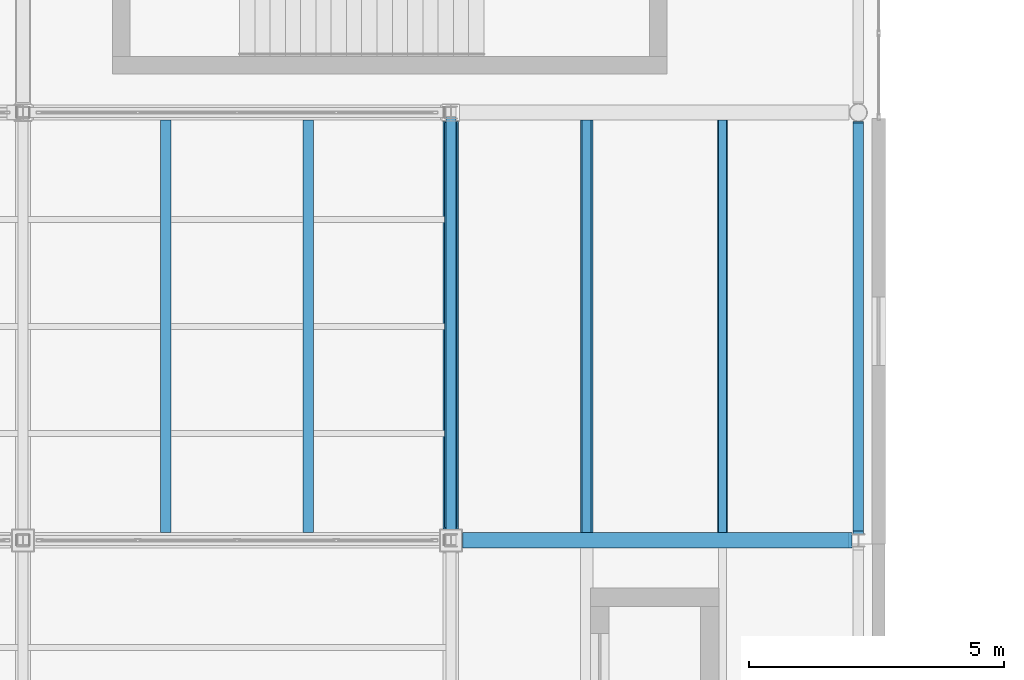
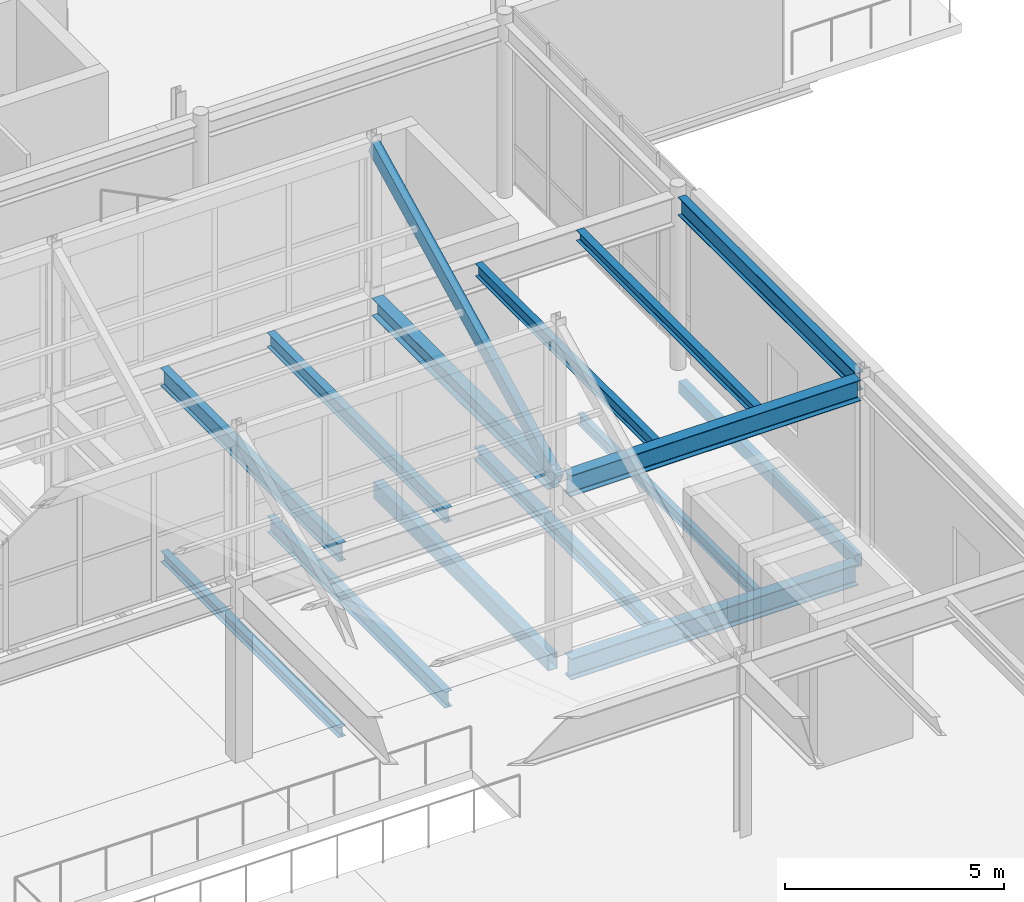
# One storey, part 45 of 91: 15 beams.
"""IFC4 building model written with IfcOpenShell, lengths in metres."""

from ifc_helpers import new_model, si_unit, direction, frame, origin, origin_2d, place, context, subcontext, project, spatial, hollow_rectangle, i_section, extrude, material, material_profile, profile_set, type_object, element, save


model = new_model("IFC4")

# Units and contexts
model_context = context("Model", 3, precision=1e-05, world=origin(), true_north=direction((0.0, 1.0)))
body_context = subcontext(model_context, "Body", "Model", "MODEL_VIEW")
ifc_project = project(units=[si_unit("LENGTHUNIT", "METRE"), si_unit("AREAUNIT", "SQUARE_METRE"), si_unit("VOLUMEUNIT", "CUBIC_METRE"), si_unit("PLANEANGLEUNIT", "RADIAN"), si_unit("MASSUNIT", "GRAM", prefix="KILO"), si_unit("THERMODYNAMICTEMPERATUREUNIT", "KELVIN")], contexts=[model_context])

# Site, building, storey
site_placement = place(None, origin())
site = spatial("IfcSite", under=ifc_project, at=site_placement, CompositionType="ELEMENT")
building_placement = place(site_placement, origin())
building = spatial("IfcBuilding", under=site, at=building_placement, Name="Lustrewick Department Store", CompositionType="ELEMENT")
storey_placement = place(building_placement, frame((0.0, 0.0, 21.60009765625)))
storey = spatial("IfcBuildingStorey", under=building, at=storey_placement, Name="L05", CompositionType="ELEMENT", Elevation=21.60009765625)

# Beams
ifc_material_1 = material(Name="Structural steel Q355B", Category="steel")
ifc_material_profile_1 = material_profile(ifc_material_1, i_section(OverallWidth=0.199951171875, OverallDepth=0.5, WebThickness=0.010009765625, FlangeThickness=0.01611328125, FilletRadius=0.01611328125, at=origin_2d()), Name="HN 500x200x10x16")
ifc_profile_set_1 = profile_set([ifc_material_profile_1], Name="Structural steel Q355B")
beam_type_1 = type_object("IfcBeamType", Name="B01", PredefinedType="JOIST", material=ifc_profile_set_1)
beam_1_placement = place(storey_placement, frame((137.199951171875, 33.7509765625, 4.594970703125), z_axis=(0.0, 1.0, 0.0), x_axis=(-1.0, 0.0, 0.0)))
element("IfcBeam", 1, at=beam_1_placement, inside=storey, type_object=beam_type_1, Name="L05 V3 Secondary Joist B01", PredefinedType="JOIST", context=body_context, shape_type="SweptSolid", body=[
    extrude(i_section(OverallWidth=0.199951171875, OverallDepth=0.5, WebThickness=0.010009765625, FlangeThickness=0.01611328125, FilletRadius=0.01611328125, at=origin_2d()), origin(), (0.0, 0.0, 1.0), 8.09912109375),
])
ifc_material_profile_2 = material_profile(ifc_material_1, i_section(OverallWidth=0.198974609375, OverallDepth=0.446044921875, WebThickness=0.008056640625, FlangeThickness=0.011962890625, FilletRadius=0.01611328125, at=origin_2d()), Name="HN 446x199x8x12")
ifc_profile_set_2 = profile_set([ifc_material_profile_2], Name="Structural steel Q355B")
beam_type_2 = type_object("IfcBeamType", Name="B04", PredefinedType="JOIST", material=ifc_profile_set_2)
beam_2_placement = place(storey_placement, frame((140.0, 33.74951171875, -0.47802734375), z_axis=(0.0, 1.0, 0.0), x_axis=(-1.0, 0.0, 0.0)))
element("IfcBeam", 2, at=beam_2_placement, inside=storey, type_object=beam_type_2, Name="L05 V3 Secondary Joist B04", PredefinedType="JOIST", context=body_context, shape_type="SweptSolid", body=[
    extrude(i_section(OverallWidth=0.198974609375, OverallDepth=0.446044921875, WebThickness=0.008056640625, FlangeThickness=0.011962890625, FilletRadius=0.01611328125, at=origin_2d()), origin(), (0.0, 0.0, 1.0), 8.1005859375),
])
ifc_material_profile_3 = material_profile(ifc_material_1, i_section(OverallWidth=0.199951171875, OverallDepth=0.39990234375, WebThickness=0.008056640625, FlangeThickness=0.012939453125, FilletRadius=0.013916015625, at=origin_2d()), Name="HN 400x200x8x13")
ifc_profile_set_3 = profile_set([ifc_material_profile_3], Name="Structural steel Q355B")
beam_type_3 = type_object("IfcBeamType", Name="B05", PredefinedType="JOIST", material=ifc_profile_set_3)
beam_3_placement = place(storey_placement, frame((140.0, 33.7509765625, 4.64501953125), z_axis=(0.0, 1.0, 0.0), x_axis=(-1.0, 0.0, 0.0)))
element("IfcBeam", 3, at=beam_3_placement, inside=storey, type_object=beam_type_3, Name="L05 V3 Secondary Joist B05", PredefinedType="JOIST", context=body_context, shape_type="SweptSolid", body=[
    extrude(i_section(OverallWidth=0.199951171875, OverallDepth=0.39990234375, WebThickness=0.008056640625, FlangeThickness=0.012939453125, FilletRadius=0.013916015625, at=origin_2d()), origin(), (0.0, 0.0, 1.0), 8.09912109375),
])
ifc_material_profile_4 = material_profile(ifc_material_1, i_section(OverallWidth=0.25, OverallDepth=0.340087890625, WebThickness=0.009033203125, FlangeThickness=0.013916015625, FilletRadius=0.01611328125, at=origin_2d()), Name="HM 340x250x9x14")
ifc_profile_set_4 = profile_set([ifc_material_profile_4], Name="Structural steel Q355B")
beam_type_4 = type_object("IfcBeamType", Name="B08", PredefinedType="JOIST", material=ifc_profile_set_4)
beam_4_placement = place(storey_placement, frame((145.466796875, 33.75, -0.425048828125), z_axis=(0.0, 1.0, 0.0), x_axis=(-1.0, 0.0, 0.0)))
element("IfcBeam", 4, at=beam_4_placement, inside=storey, type_object=beam_type_4, Name="L05 V3 Secondary Joist B08", PredefinedType="JOIST", context=body_context, shape_type="SweptSolid", body=[
    extrude(i_section(OverallWidth=0.25, OverallDepth=0.340087890625, WebThickness=0.009033203125, FlangeThickness=0.013916015625, FilletRadius=0.01611328125, at=origin_2d()), origin(), (0.0, 0.0, 1.0), 8.1005859375),
])
ifc_material_profile_5 = material_profile(ifc_material_1, i_section(OverallWidth=0.175048828125, OverallDepth=0.35009765625, WebThickness=0.007080078125, FlangeThickness=0.010986328125, FilletRadius=0.012939453125, at=origin_2d()), Name="HN 350x175x7x11")
ifc_profile_set_5 = profile_set([ifc_material_profile_5], Name="Structural steel Q355B")
beam_type_5 = type_object("IfcBeamType", Name="B09", PredefinedType="JOIST", material=ifc_profile_set_5)
beam_5_placement = place(storey_placement, frame((145.466796875, 33.75, 4.669921875), z_axis=(0.0, 1.0, 0.0), x_axis=(-1.0, 0.0, 0.0)))
element("IfcBeam", 5, at=beam_5_placement, inside=storey, type_object=beam_type_5, Name="L05 V3 Secondary Joist B09", PredefinedType="JOIST", context=body_context, shape_type="SweptSolid", body=[
    extrude(i_section(OverallWidth=0.175048828125, OverallDepth=0.35009765625, WebThickness=0.007080078125, FlangeThickness=0.010986328125, FilletRadius=0.012939453125, at=origin_2d()), origin(), (0.0, 0.0, 1.0), 8.09912109375),
])
ifc_material_profile_6 = material_profile(ifc_material_1, i_section(OverallWidth=0.14892578125, OverallDepth=0.298095703125, WebThickness=0.005615234375, FlangeThickness=0.008056640625, FilletRadius=0.011962890625, at=origin_2d()), Name="HN 298x149x5.5x8")
ifc_profile_set_6 = profile_set([ifc_material_profile_6], Name="Structural steel Q355B")
beam_type_6 = type_object("IfcBeamType", Name="B12", PredefinedType="JOIST", material=ifc_profile_set_6)
beam_6_placement = place(storey_placement, frame((148.13330078125, 33.75, -0.404052734375), z_axis=(0.0, 1.0, 0.0), x_axis=(-1.0, 0.0, 0.0)))
element("IfcBeam", 6, at=beam_6_placement, inside=storey, type_object=beam_type_6, Name="L05 V3 Secondary Joist B12", PredefinedType="JOIST", context=body_context, shape_type="SweptSolid", body=[
    extrude(i_section(OverallWidth=0.14892578125, OverallDepth=0.298095703125, WebThickness=0.005615234375, FlangeThickness=0.008056640625, FilletRadius=0.011962890625, at=origin_2d()), origin(), (0.0, 0.0, 1.0), 8.1005859375),
])
ifc_material_profile_7 = material_profile(ifc_material_1, i_section(OverallWidth=0.199951171875, OverallDepth=0.2939453125, WebThickness=0.008056640625, FlangeThickness=0.011962890625, FilletRadius=0.013916015625, at=origin_2d()), Name="HM 294x200x8x12")
ifc_profile_set_7 = profile_set([ifc_material_profile_7], Name="Structural steel Q355B")
beam_type_7 = type_object("IfcBeamType", Name="B13", PredefinedType="JOIST", material=ifc_profile_set_7)
beam_7_placement = place(storey_placement, frame((137.199951171875, 33.74951171875, -0.402099609375), z_axis=(0.0, 1.0, 0.0), x_axis=(-1.0, 0.0, 0.0)))
element("IfcBeam", 7, at=beam_7_placement, inside=storey, type_object=beam_type_7, Name="L05 V3 Secondary Joist B13", PredefinedType="JOIST", context=body_context, shape_type="SweptSolid", body=[
    extrude(i_section(OverallWidth=0.199951171875, OverallDepth=0.2939453125, WebThickness=0.008056640625, FlangeThickness=0.011962890625, FilletRadius=0.013916015625, at=origin_2d()), origin(), (0.0, 0.0, 1.0), 8.1005859375),
])
beam_8_placement = place(storey_placement, frame((148.13330078125, 33.75, 4.697998046875), z_axis=(0.0, 1.0, 0.0), x_axis=(-1.0, 0.0, 0.0)))
element("IfcBeam", 8, at=beam_8_placement, inside=storey, type_object=beam_type_7, Name="L05 V3 Secondary Joist B13", PredefinedType="JOIST", context=body_context, shape_type="SweptSolid", body=[
    extrude(i_section(OverallWidth=0.199951171875, OverallDepth=0.2939453125, WebThickness=0.008056640625, FlangeThickness=0.011962890625, FilletRadius=0.013916015625, at=origin_2d()), origin(), (0.0, 0.0, 1.0), 8.09912109375),
])
ifc_material_profile_8 = material_profile(ifc_material_1, i_section(OverallWidth=0.300048828125, OverallDepth=0.587890625, WebThickness=0.011962890625, FlangeThickness=0.02001953125, FilletRadius=0.02392578125, at=origin_2d()), Name="HM 588x300x12x20")
ifc_profile_set_8 = profile_set([ifc_material_profile_8], Name="Structural steel Q355B")
beam_type_8 = type_object("IfcBeamType", Name="G11", PredefinedType="BEAM", material=ifc_profile_set_8)
beam_9_placement = place(storey_placement, frame((143.050048828125, 33.60009765625, -0.549072265625), z_axis=(1.0, 0.0, 0.0), x_axis=(0.0, 1.0, 0.0)))
element("IfcBeam", 9, at=beam_9_placement, inside=storey, type_object=beam_type_8, Name="L05 V3 Girder G11", PredefinedType="BEAM", context=body_context, shape_type="SweptSolid", body=[
    extrude(i_section(OverallWidth=0.300048828125, OverallDepth=0.587890625, WebThickness=0.011962890625, FlangeThickness=0.02001953125, FilletRadius=0.02392578125, at=origin_2d()), origin(), (0.0, 0.0, 1.0), 7.5615234375),
])
ifc_material_profile_9 = material_profile(ifc_material_1, i_section(OverallWidth=0.300048828125, OverallDepth=0.58203125, WebThickness=0.011962890625, FlangeThickness=0.01708984375, FilletRadius=0.02392578125, at=origin_2d()), Name="HM 582x300x12x17")
ifc_profile_set_9 = profile_set([ifc_material_profile_9], Name="Structural steel Q355B")
beam_type_9 = type_object("IfcBeamType", Name="G12", PredefinedType="BEAM", material=ifc_profile_set_9)
beam_10_placement = place(storey_placement, frame((143.02490234375, 33.60009765625, 4.553955078125), z_axis=(1.0, 0.0, 0.0), x_axis=(0.0, 1.0, 0.0)))
element("IfcBeam", 10, at=beam_10_placement, inside=storey, type_object=beam_type_9, Name="L05 V3 Girder G12", PredefinedType="BEAM", context=body_context, shape_type="SweptSolid", body=[
    extrude(i_section(OverallWidth=0.300048828125, OverallDepth=0.58203125, WebThickness=0.011962890625, FlangeThickness=0.01708984375, FilletRadius=0.02392578125, at=origin_2d()), origin(), (0.0, 0.0, 1.0), 7.650146484375),
])
ifc_material_2 = material(Name="Structural steel Q355C", Category="steel")
ifc_material_profile_10 = material_profile(ifc_material_2, hollow_rectangle(XDim=0.25, YDim=0.449951171875, WallThickness=0.013916015625, at=origin_2d()), Name="RHS 450x250x14")
ifc_profile_set_10 = profile_set([ifc_material_profile_10], Name="Structural steel Q355C")
beam_type_10 = type_object("IfcBeamType", Name="G18", PredefinedType="BEAM", material=ifc_profile_set_10)
beam_11_placement = place(storey_placement, frame((142.800048828125, 33.85009765625, -0.47998046875), z_axis=(0.0, 1.0, 0.0), x_axis=(-1.0, 0.0, 0.0)))
element("IfcBeam", 11, at=beam_11_placement, inside=storey, type_object=beam_type_10, Name="L05 V3 Girder G18", PredefinedType="BEAM", context=body_context, shape_type="SweptSolid", body=[
    extrude(hollow_rectangle(XDim=0.25, YDim=0.449951171875, WallThickness=0.013916015625, at=origin_2d()), origin(), (0.0, 0.0, 1.0), 7.955810546875),
])
ifc_material_profile_11 = material_profile(ifc_material_2, hollow_rectangle(XDim=0.199951171875, YDim=0.39990234375, WallThickness=0.011962890625, at=origin_2d()), Name="RHS 400x200x12")
ifc_profile_set_11 = profile_set([ifc_material_profile_11], Name="Structural steel Q355C")
beam_type_11 = type_object("IfcBeamType", Name="G19", PredefinedType="BEAM", material=ifc_profile_set_11)
beam_12_placement = place(storey_placement, frame((142.800048828125, 33.60009765625, 4.739990234375), z_axis=(0.0, 0.894427191, 0.4472135955), x_axis=(-1.0, 0.0, 0.0)))
element("IfcBeam", 12, at=beam_12_placement, inside=storey, type_object=beam_type_11, Name="V3 Lantern Rafter 2.142", PredefinedType="BEAM", context=body_context, shape_type="SweptSolid", body=[
    extrude(hollow_rectangle(XDim=0.199951171875, YDim=0.39990234375, WallThickness=0.011962890625, at=origin_2d()), origin(), (0.0, 0.0, 1.0), 9.391357421875),
])
ifc_material_profile_12 = material_profile(ifc_material_1, i_section(OverallWidth=0.300048828125, OverallDepth=0.48193359375, WebThickness=0.010986328125, FlangeThickness=0.014892578125, FilletRadius=0.02197265625, at=origin_2d()), Name="HM 482x300x11x15")
ifc_profile_set_12 = profile_set([ifc_material_profile_12], Name="Structural steel Q355B")
beam_type_12 = type_object("IfcBeamType", Name="G20", PredefinedType="BEAM", material=ifc_profile_set_12)
beam_13_placement = place(storey_placement, frame((142.800048828125, 33.824951171875, 4.60400390625), z_axis=(0.0, 1.0, 0.0), x_axis=(-1.0, 0.0, 0.0)))
element("IfcBeam", 13, at=beam_13_placement, inside=storey, type_object=beam_type_12, Name="L05 V3 Girder G20", PredefinedType="BEAM", context=body_context, shape_type="SweptSolid", body=[
    extrude(i_section(OverallWidth=0.300048828125, OverallDepth=0.48193359375, WebThickness=0.010986328125, FlangeThickness=0.014892578125, FilletRadius=0.02197265625, at=origin_2d()), origin(), (0.0, 0.0, 1.0), 8.0029296875),
])
ifc_material_profile_13 = material_profile(ifc_material_1, i_section(OverallWidth=0.200927734375, OverallDepth=0.506103515625, WebThickness=0.010986328125, FlangeThickness=0.01904296875, FilletRadius=0.01611328125, at=origin_2d()), Name="HN 506x201x11x19")
ifc_profile_set_13 = profile_set([ifc_material_profile_13], Name="Structural steel Q355B")
beam_type_13 = type_object("IfcBeamType", Name="SP01", PredefinedType="SPANDREL", material=ifc_profile_set_13)
beam_14_placement = place(storey_placement, frame((150.800048828125, 33.72509765625, 4.591796875), z_axis=(0.0, 1.0, 0.0), x_axis=(-1.0, 0.0, 0.0)))
element("IfcBeam", 14, at=beam_14_placement, inside=storey, type_object=beam_type_13, Name="L05 V3 Girder SP01", PredefinedType="SPANDREL", context=body_context, shape_type="SweptSolid", body=[
    extrude(i_section(OverallWidth=0.200927734375, OverallDepth=0.506103515625, WebThickness=0.010986328125, FlangeThickness=0.01904296875, FilletRadius=0.01611328125, at=origin_2d()), origin(), (0.0, 0.0, 1.0), 8.096923828125),
])
ifc_material_profile_14 = material_profile(ifc_material_2, hollow_rectangle(XDim=0.199951171875, YDim=0.35009765625, WallThickness=0.011962890625, at=origin_2d()), Name="RHS 350x200x12")
ifc_profile_set_14 = profile_set([ifc_material_profile_14], Name="Structural steel Q355C")
beam_type_14 = type_object("IfcBeamType", Name="SP03", PredefinedType="SPANDREL", material=ifc_profile_set_14)
beam_15_placement = place(storey_placement, frame((150.800048828125, 33.78857421875, -0.43017578125), z_axis=(0.0, 1.0, 0.0), x_axis=(-1.0, 0.0, 0.0)))
element("IfcBeam", 15, at=beam_15_placement, inside=storey, type_object=beam_type_14, Name="L05 V3 Girder SP03", PredefinedType="SPANDREL", context=body_context, shape_type="SweptSolid", body=[
    extrude(hollow_rectangle(XDim=0.199951171875, YDim=0.35009765625, WallThickness=0.011962890625, at=origin_2d()), origin(), (0.0, 0.0, 1.0), 8.008544921875),
])

save(model, "model.ifc")
